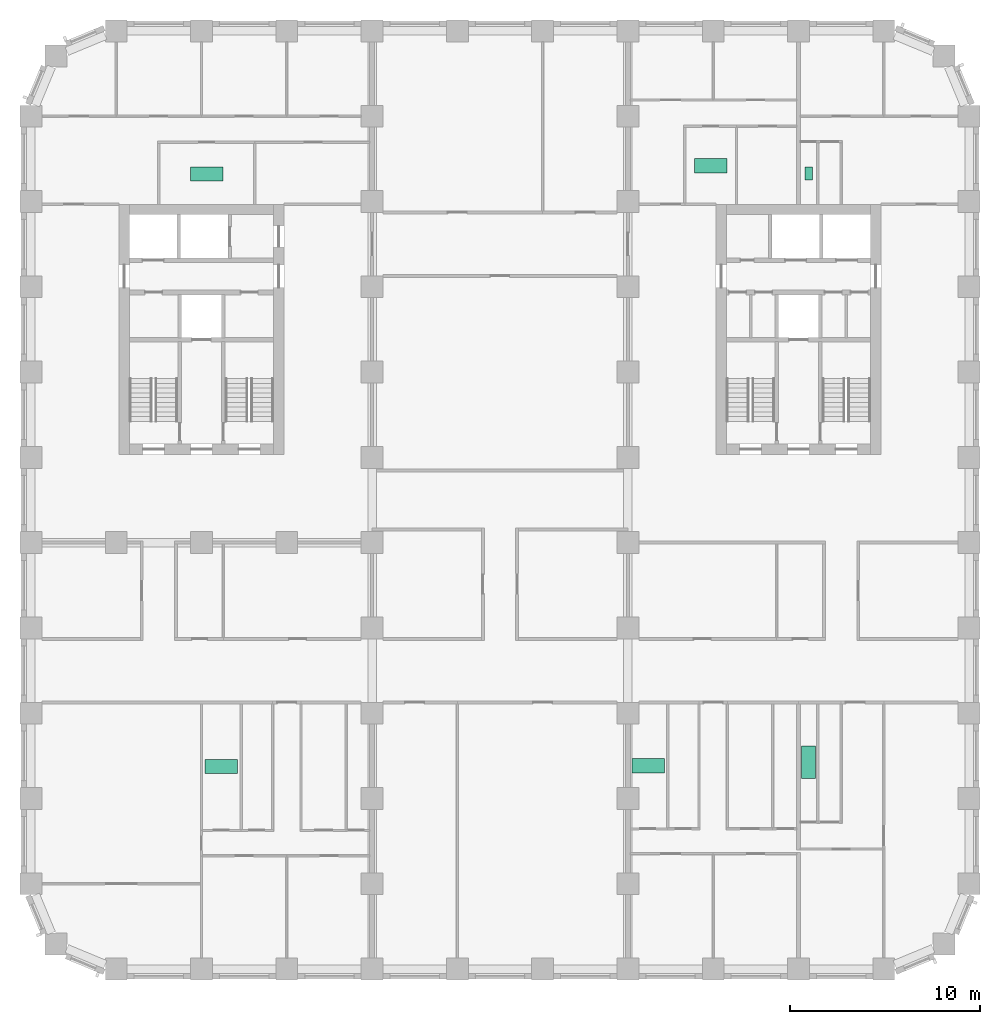
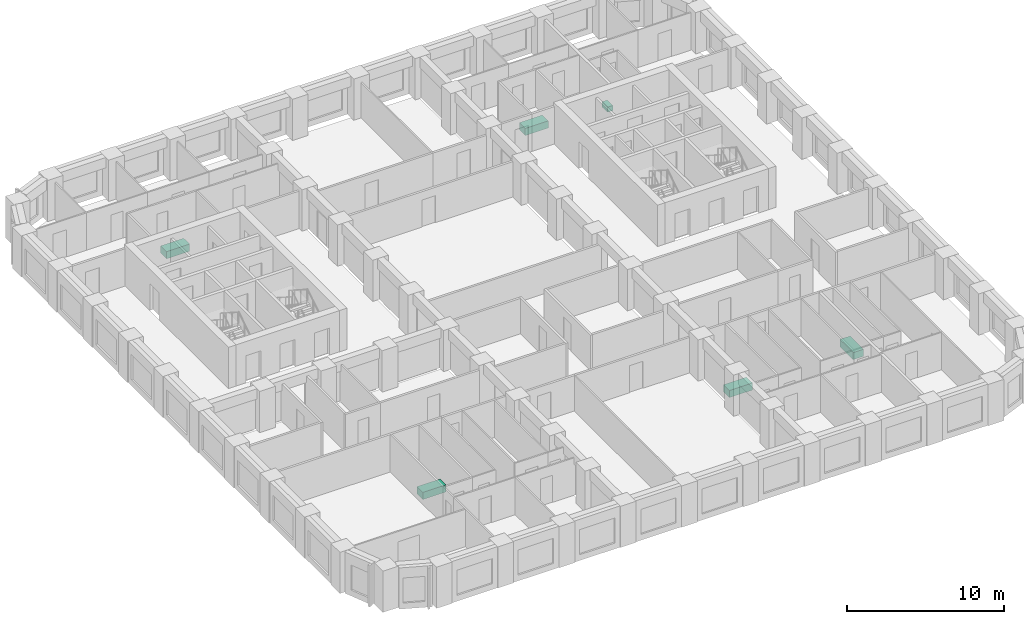
# One storey, part 12 of 12: 6 sanitary terminals.
"""IFC4 building model written with IfcOpenShell, lengths in metres."""

from ifc_helpers import new_model, si_unit, direction, frame, origin, origin_2d, place, context, subcontext, project, spatial, rectangle, extrude, material, type_object, element, save


model = new_model("IFC4")

# Units and contexts
model_context = context("Model", 3, precision=1e-05, world=origin(), true_north=direction((0.0, 1.0)))
body_context = subcontext(model_context, "Body", "Model", "MODEL_VIEW")
ifc_project = project(units=[si_unit("LENGTHUNIT", "METRE"), si_unit("AREAUNIT", "SQUARE_METRE"), si_unit("VOLUMEUNIT", "CUBIC_METRE"), si_unit("PLANEANGLEUNIT", "RADIAN"), si_unit("MASSUNIT", "GRAM", prefix="KILO")], contexts=[model_context])

# Site, building, storey
site_placement = place(None, origin())
site = spatial("IfcSite", under=ifc_project, at=site_placement, CompositionType="ELEMENT")
building_placement = place(site_placement, origin())
building = spatial("IfcBuilding", under=site, at=building_placement, Name="Girih Gate Residences", CompositionType="ELEMENT")
storey_placement = place(building_placement, frame((0.0, 0.0, 115.199951171875)))
storey = spatial("IfcBuildingStorey", under=building, at=storey_placement, Name="L32", CompositionType="ELEMENT", Elevation=115.199951171875)

# Sanitary terminals
ifc_material_1 = material(Name="Acrylic")
sanitary_terminal_type_1 = type_object("IfcSanitaryTerminalType", Name="Bath 1700", PredefinedType="BATH", material=ifc_material_1)
for number, where, z_axis, x_axis, name in (
    (1, (10.047119140625, 10.68896484375, 0.0), (0.0, 0.0, 1.0), (1.0, 0.0, 0.0), "Bath 1700 L32"),
    (2, (9.280029296875, 41.9541015625, 0.0), (0.0, 0.0, 1.0), (1.0, 0.0, 0.0), "Bath 1700 L32"),
):
    element("IfcSanitaryTerminal", number, at=place(storey_placement, frame(where, z_axis=z_axis, x_axis=x_axis)), inside=storey, type_object=sanitary_terminal_type_1, Name=name, PredefinedType="BATH", context=body_context, shape_type="SweptSolid", body=[
        extrude(rectangle(XDim=1.699951171875, YDim=0.75, at=origin_2d()), origin(), (0.0, 0.0, 1.0), 0.550048828125),
    ])
sanitary_terminal_1_placement = place(storey_placement, frame((41.030029296875, 10.908935546875, 0.0), z_axis=(0.0, 0.0, 1.0), x_axis=(1.0, 0.0, 0.0)))
element("IfcSanitaryTerminal", 3, at=sanitary_terminal_1_placement, inside=storey, type_object=sanitary_terminal_type_1, Name="Bath 1700 L32", PredefinedType="BATH", context=body_context, shape_type="SweptSolid", body=[
    extrude(rectangle(XDim=0.75, YDim=1.699951171875, at=origin_2d()), origin(), (0.0, 0.0, 1.0), 0.550048828125),
])
for number, where, z_axis, x_axis, name in (
    (4, (32.576904296875, 10.72900390625, 0.0), (0.0, 0.0, 1.0), (1.0, 0.0, 0.0), "Bath 1700 L32"),
    (5, (35.864990234375, 42.381103515625, 0.0), (0.0, 0.0, 1.0), (1.0, 0.0, 0.0), "Bath 1700 L32"),
):
    element("IfcSanitaryTerminal", number, at=place(storey_placement, frame(where, z_axis=z_axis, x_axis=x_axis)), inside=storey, type_object=sanitary_terminal_type_1, Name=name, PredefinedType="BATH", context=body_context, shape_type="SweptSolid", body=[
        extrude(rectangle(XDim=1.699951171875, YDim=0.75, at=origin_2d()), origin(), (0.0, 0.0, 1.0), 0.550048828125),
    ])
ifc_material_2 = material(Name="Vitreous china")
sanitary_terminal_type_2 = type_object("IfcSanitaryTerminalType", Name="WC pan", PredefinedType="TOILETPAN", material=ifc_material_2)
sanitary_terminal_2_placement = place(storey_placement, frame((41.030029296875, 41.97412109375, 0.0), z_axis=(0.0, 0.0, 1.0), x_axis=(1.0, 0.0, 0.0)))
element("IfcSanitaryTerminal", 6, at=sanitary_terminal_2_placement, inside=storey, type_object=sanitary_terminal_type_2, Name="WC pan L32", PredefinedType="TOILETPAN", context=body_context, shape_type="SweptSolid", body=[
    extrude(rectangle(XDim=0.39990234375, YDim=0.699951171875, at=origin_2d()), origin(), (0.0, 0.0, 1.0), 0.39990234375),
])

save(model, "model.ifc")
